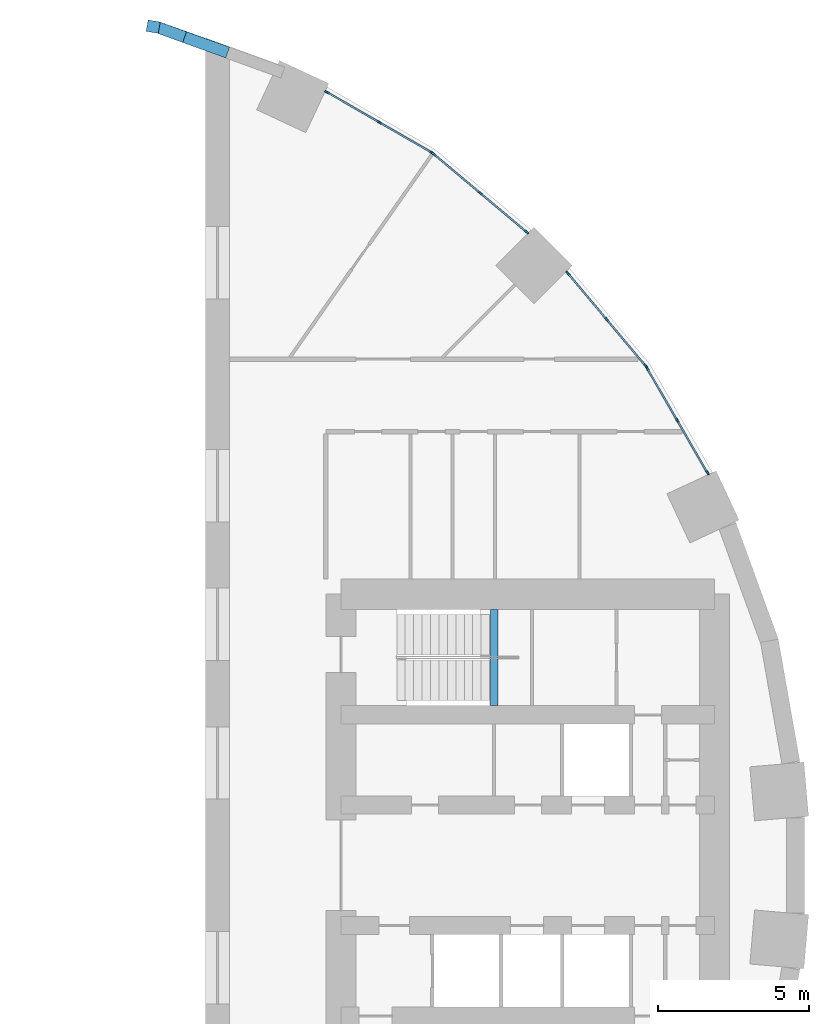
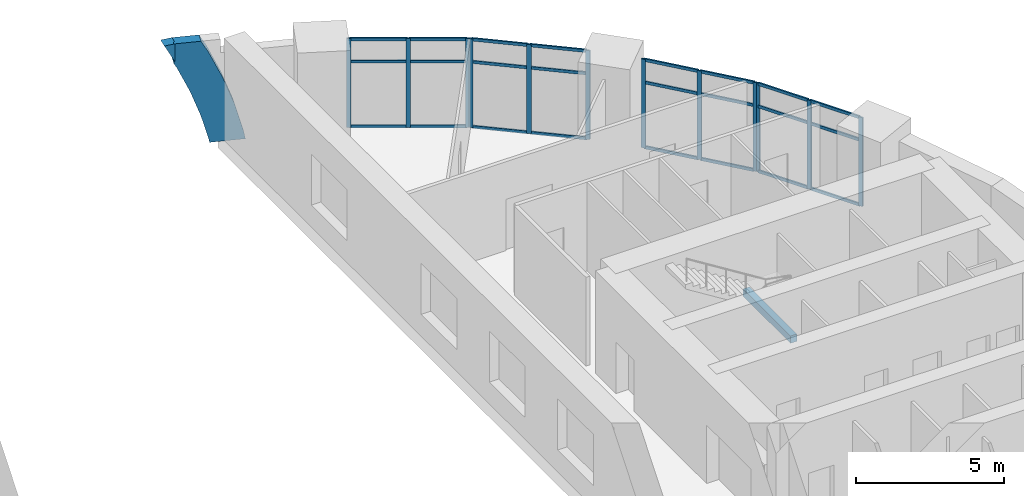
# One storey, part 5 of 13: 38 members, 1 beam, 4 elements without a shape of their own.
"""IFC4 building model written with IfcOpenShell, lengths in metres."""

from ifc_helpers import new_model, si_unit, direction, frame, origin, origin_2d, place, context, subcontext, project, spatial, polyline, rectangle, hollow_rectangle, outline, extrude, material, layer, layer_set, material_profile, profile_set, type_object, element, aggregate, save


model = new_model("IFC4")

# Units and contexts
model_context = context("Model", 3, precision=1e-05, world=origin(), true_north=direction((0.0, 1.0)))
body_context = subcontext(model_context, "Body", "Model", "MODEL_VIEW")
ifc_project = project(units=[si_unit("LENGTHUNIT", "METRE"), si_unit("AREAUNIT", "SQUARE_METRE"), si_unit("VOLUMEUNIT", "CUBIC_METRE"), si_unit("PLANEANGLEUNIT", "RADIAN"), si_unit("MASSUNIT", "GRAM", prefix="KILO")], contexts=[model_context])

# Site, building, storey
site_placement = place(None, origin())
site = spatial("IfcSite", under=ifc_project, at=site_placement, CompositionType="ELEMENT")
building_placement = place(site_placement, origin())
building = spatial("IfcBuilding", under=site, at=building_placement, Name="Saqina Gate Tower", CompositionType="ELEMENT")
storey_placement = place(building_placement, frame((0.0, 0.0, 9.199951171875)))
storey = spatial("IfcBuildingStorey", under=building, at=storey_placement, Name="L02", CompositionType="ELEMENT", Elevation=9.199951171875)

# Curtain wall, members
ifc_material_1 = material(Name="Aluminium glazing", Category="aluminium")
ifc_layer = layer(ifc_material_1, 0.159912109375)
ifc_layer_set = layer_set([ifc_layer], Name="CWT-1")
curtain_wall_type = type_object("IfcCurtainWallType", Name="CWT-1", PredefinedType="NOTDEFINED", material=ifc_layer_set)
curtain_wall_1_placement = place(storey_placement, origin())
curtain_wall_1 = element("IfcCurtainWall", 1, at=curtain_wall_1_placement, inside=storey, type_object=curtain_wall_type, Name="Podium shopfront facet 3", PredefinedType="NOTDEFINED")
ifc_material_2 = material(Name="Aluminium", Category="aluminium")
ifc_material_profile_1 = material_profile(ifc_material_2, rectangle(XDim=0.06005859375, YDim=0.159912109375, at=origin_2d()), Name="Aluminium 60x160")
ifc_profile_set_1 = profile_set([ifc_material_profile_1], Name="Aluminium")
member_type_1 = type_object("IfcMemberType", Name="CWT-1M", PredefinedType="MULLION", material=ifc_profile_set_1)
member_1_placement = place(storey_placement, frame((25.66015625, 13.03466796875, 0.0), z_axis=(0.0, 0.0, 1.0), x_axis=(-0.866017381415, -0.500013894893, 0.0)))
member_1 = element("IfcMember", 2, at=member_1_placement, type_object=member_type_1, Name="CW1-03 mullion 1", PredefinedType="MULLION", context=body_context, shape_type="SweptSolid", body=[
    extrude(rectangle(XDim=0.06005859375, YDim=0.159912109375, at=origin_2d()), origin(), (0.0, 0.0, 1.0), 3.650146484375),
])
member_2_placement = place(storey_placement, frame((24.65771484375, 14.770751953125, 0.0), z_axis=(0.0, 0.0, 1.0), x_axis=(-0.866017381415, -0.500013894893, 0.0)))
member_2 = element("IfcMember", 3, at=member_2_placement, type_object=member_type_1, Name="CW1-03 mullion 2", PredefinedType="MULLION", context=body_context, shape_type="SweptSolid", body=[
    extrude(rectangle(XDim=0.06005859375, YDim=0.159912109375, at=origin_2d()), origin(), (0.0, 0.0, 1.0), 3.650146484375),
])
member_3_placement = place(storey_placement, frame((23.655517578125, 16.5068359375, 0.0), z_axis=(0.0, 0.0, 1.0), x_axis=(-0.866017381415, -0.500013894893, 0.0)))
member_3 = element("IfcMember", 4, at=member_3_placement, type_object=member_type_1, Name="CW1-03 mullion 3", PredefinedType="MULLION", context=body_context, shape_type="SweptSolid", body=[
    extrude(rectangle(XDim=0.06005859375, YDim=0.159912109375, at=origin_2d()), origin(), (0.0, 0.0, 1.0), 3.650146484375),
])

curtain_wall_2_placement = place(storey_placement, origin())
curtain_wall_2 = element("IfcCurtainWall", 5, at=curtain_wall_2_placement, inside=storey, type_object=curtain_wall_type, Name="Podium shopfront facet 4", PredefinedType="NOTDEFINED")
member_4_placement = place(storey_placement, frame((23.601806640625, 16.583251953125, 0.0), z_axis=(0.0, 0.0, 1.0), x_axis=(-0.766051396473, -0.642779322911, 0.0)))
member_4 = element("IfcMember", 6, at=member_4_placement, type_object=member_type_1, Name="CW1-04 mullion 1", PredefinedType="MULLION", context=body_context, shape_type="SweptSolid", body=[
    extrude(rectangle(XDim=0.06005859375, YDim=0.159912109375, at=origin_2d()), origin(), (0.0, 0.0, 1.0), 3.650146484375),
])
member_5_placement = place(storey_placement, frame((22.3134765625, 18.118896484375, 0.0), z_axis=(0.0, 0.0, 1.0), x_axis=(-0.766051396473, -0.642779322911, 0.0)))
member_5 = element("IfcMember", 7, at=member_5_placement, type_object=member_type_1, Name="CW1-04 mullion 2", PredefinedType="MULLION", context=body_context, shape_type="SweptSolid", body=[
    extrude(rectangle(XDim=0.06005859375, YDim=0.159912109375, at=origin_2d()), origin(), (0.0, 0.0, 1.0), 3.650146484375),
])
member_6_placement = place(storey_placement, frame((21.02490234375, 19.654296875, 0.0), z_axis=(0.0, 0.0, 1.0), x_axis=(-0.766051396473, -0.642779322911, 0.0)))
member_6 = element("IfcMember", 8, at=member_6_placement, type_object=member_type_1, Name="CW1-04 mullion 3", PredefinedType="MULLION", context=body_context, shape_type="SweptSolid", body=[
    extrude(rectangle(XDim=0.06005859375, YDim=0.159912109375, at=origin_2d()), origin(), (0.0, 0.0, 1.0), 3.650146484375),
])

curtain_wall_3_placement = place(storey_placement, origin())
curtain_wall_3 = element("IfcCurtainWall", 9, at=curtain_wall_3_placement, inside=storey, type_object=curtain_wall_type, Name="Podium shopfront facet 5", PredefinedType="NOTDEFINED")
member_7_placement = place(storey_placement, frame((19.654296875, 21.02490234375, 0.0), z_axis=(0.0, 0.0, 1.0), x_axis=(-0.642779322911, -0.766051396473, 0.0)))
member_7 = element("IfcMember", 10, at=member_7_placement, type_object=member_type_1, Name="CW1-05 mullion 1", PredefinedType="MULLION", context=body_context, shape_type="SweptSolid", body=[
    extrude(rectangle(XDim=0.06005859375, YDim=0.159912109375, at=origin_2d()), origin(), (0.0, 0.0, 1.0), 3.650146484375),
])
member_8_placement = place(storey_placement, frame((18.118896484375, 22.3134765625, 0.0), z_axis=(0.0, 0.0, 1.0), x_axis=(-0.642779322911, -0.766051396473, 0.0)))
member_8 = element("IfcMember", 11, at=member_8_placement, type_object=member_type_1, Name="CW1-05 mullion 2", PredefinedType="MULLION", context=body_context, shape_type="SweptSolid", body=[
    extrude(rectangle(XDim=0.06005859375, YDim=0.159912109375, at=origin_2d()), origin(), (0.0, 0.0, 1.0), 3.650146484375),
])
member_9_placement = place(storey_placement, frame((16.583251953125, 23.601806640625, 0.0), z_axis=(0.0, 0.0, 1.0), x_axis=(-0.642779322911, -0.766051396473, 0.0)))
member_9 = element("IfcMember", 12, at=member_9_placement, type_object=member_type_1, Name="CW1-05 mullion 3", PredefinedType="MULLION", context=body_context, shape_type="SweptSolid", body=[
    extrude(rectangle(XDim=0.06005859375, YDim=0.159912109375, at=origin_2d()), origin(), (0.0, 0.0, 1.0), 3.650146484375),
])

curtain_wall_4_placement = place(storey_placement, origin())
curtain_wall_4 = element("IfcCurtainWall", 13, at=curtain_wall_4_placement, inside=storey, type_object=curtain_wall_type, Name="Podium shopfront facet 6", PredefinedType="NOTDEFINED")
member_10_placement = place(storey_placement, frame((16.5068359375, 23.655517578125, 0.0), z_axis=(0.0, 0.0, 1.0), x_axis=(-0.500013894893, -0.866017381415, 0.0)))
member_10 = element("IfcMember", 14, at=member_10_placement, type_object=member_type_1, Name="CW1-06 mullion 1", PredefinedType="MULLION", context=body_context, shape_type="SweptSolid", body=[
    extrude(rectangle(XDim=0.06005859375, YDim=0.159912109375, at=origin_2d()), origin(), (0.0, 0.0, 1.0), 3.650146484375),
])
member_11_placement = place(storey_placement, frame((14.770751953125, 24.65771484375, 0.0), z_axis=(0.0, 0.0, 1.0), x_axis=(-0.500013894893, -0.866017381415, 0.0)))
member_11 = element("IfcMember", 15, at=member_11_placement, type_object=member_type_1, Name="CW1-06 mullion 2", PredefinedType="MULLION", context=body_context, shape_type="SweptSolid", body=[
    extrude(rectangle(XDim=0.06005859375, YDim=0.159912109375, at=origin_2d()), origin(), (0.0, 0.0, 1.0), 3.650146484375),
])
member_12_placement = place(storey_placement, frame((13.03466796875, 25.66015625, 0.0), z_axis=(0.0, 0.0, 1.0), x_axis=(-0.500013894893, -0.866017381415, 0.0)))
member_12 = element("IfcMember", 16, at=member_12_placement, type_object=member_type_1, Name="CW1-06 mullion 3", PredefinedType="MULLION", context=body_context, shape_type="SweptSolid", body=[
    extrude(rectangle(XDim=0.06005859375, YDim=0.159912109375, at=origin_2d()), origin(), (0.0, 0.0, 1.0), 3.650146484375),
])

# Member
ifc_material_3 = material(Name="Aluminium", Category="aluminium")
ifc_material_profile_2 = material_profile(ifc_material_3, rectangle(XDim=0.06005859375, YDim=0.1201171875, at=origin_2d()), Name="Aluminium 60x120")
ifc_profile_set_2 = profile_set([ifc_material_profile_2], Name="Aluminium")
member_type_2 = type_object("IfcMemberType", Name="CWT-1T", PredefinedType="USERDEFINED", material=ifc_profile_set_2)
member_13_placement = place(storey_placement, frame((25.64501953125, 13.060791015625, 0.030029296875), z_axis=(-0.499947064232, 0.866055964107, 0.0), x_axis=(-0.866055964107, -0.499947064232, 0.0)))
member_13 = element("IfcMember", 17, at=member_13_placement, type_object=member_type_2, Name="CW1-03 transom 1.1", ObjectType="TRANSOM", PredefinedType="USERDEFINED", context=body_context, shape_type="SweptSolid", body=[
    extrude(rectangle(XDim=0.06005859375, YDim=0.1201171875, at=origin_2d()), origin(), (0.0, 0.0, 1.0), 1.944580078125),
])

member_14_placement = place(storey_placement, frame((25.64501953125, 13.060791015625, 2.699951171875), z_axis=(-0.499947064232, 0.866055964107, 0.0), x_axis=(-0.866055964107, -0.499947064232, 0.0)))
member_14 = element("IfcMember", 18, at=member_14_placement, type_object=member_type_2, Name="CW1-03 transom 1.2", ObjectType="TRANSOM", PredefinedType="USERDEFINED", context=body_context, shape_type="SweptSolid", body=[
    extrude(rectangle(XDim=0.06005859375, YDim=0.1201171875, at=origin_2d()), origin(), (0.0, 0.0, 1.0), 1.944580078125),
])

member_15_placement = place(storey_placement, frame((25.64501953125, 13.060791015625, 3.6201171875), z_axis=(-0.499947064232, 0.866055964107, 0.0), x_axis=(-0.866055964107, -0.499947064232, 0.0)))
member_15 = element("IfcMember", 19, at=member_15_placement, type_object=member_type_2, Name="CW1-03 transom 1.3", ObjectType="TRANSOM", PredefinedType="USERDEFINED", context=body_context, shape_type="SweptSolid", body=[
    extrude(rectangle(XDim=0.06005859375, YDim=0.1201171875, at=origin_2d()), origin(), (0.0, 0.0, 1.0), 1.944580078125),
])

member_16_placement = place(storey_placement, frame((24.642822265625, 14.796630859375, 0.030029296875), z_axis=(-0.500041225824, 0.866001600736, 0.0), x_axis=(-0.866001600736, -0.500041225824, 0.0)))
member_16 = element("IfcMember", 20, at=member_16_placement, type_object=member_type_2, Name="CW1-03 transom 2.1", ObjectType="TRANSOM", PredefinedType="USERDEFINED", context=body_context, shape_type="SweptSolid", body=[
    extrude(rectangle(XDim=0.06005859375, YDim=0.1201171875, at=origin_2d()), origin(), (0.0, 0.0, 1.0), 1.944580078125),
])

member_17_placement = place(storey_placement, frame((24.642822265625, 14.796630859375, 2.699951171875), z_axis=(-0.500041225824, 0.866001600736, 0.0), x_axis=(-0.866001600736, -0.500041225824, 0.0)))
member_17 = element("IfcMember", 21, at=member_17_placement, type_object=member_type_2, Name="CW1-03 transom 2.2", ObjectType="TRANSOM", PredefinedType="USERDEFINED", context=body_context, shape_type="SweptSolid", body=[
    extrude(rectangle(XDim=0.06005859375, YDim=0.1201171875, at=origin_2d()), origin(), (0.0, 0.0, 1.0), 1.944580078125),
])

member_18_placement = place(storey_placement, frame((24.642822265625, 14.796630859375, 3.6201171875), z_axis=(-0.500041225824, 0.866001600736, 0.0), x_axis=(-0.866001600736, -0.500041225824, 0.0)))
member_18 = element("IfcMember", 22, at=member_18_placement, type_object=member_type_2, Name="CW1-03 transom 2.3", ObjectType="TRANSOM", PredefinedType="USERDEFINED", context=body_context, shape_type="SweptSolid", body=[
    extrude(rectangle(XDim=0.06005859375, YDim=0.1201171875, at=origin_2d()), origin(), (0.0, 0.0, 1.0), 1.944580078125),
])

aggregate(curtain_wall_1, [member_1, member_2, member_3, member_13, member_14, member_15, member_16, member_17, member_18])

member_19_placement = place(storey_placement, frame((23.58251953125, 16.606201171875, 0.030029296875), z_axis=(-0.642700228444, 0.766117756196, 0.0), x_axis=(-0.766117756196, -0.642700228444, 0.0)))
member_19 = element("IfcMember", 23, at=member_19_placement, type_object=member_type_2, Name="CW1-04 transom 1.1", ObjectType="TRANSOM", PredefinedType="USERDEFINED", context=body_context, shape_type="SweptSolid", body=[
    extrude(rectangle(XDim=0.06005859375, YDim=0.1201171875, at=origin_2d()), origin(), (0.0, 0.0, 1.0), 1.944580078125),
])

member_20_placement = place(storey_placement, frame((23.58251953125, 16.606201171875, 2.699951171875), z_axis=(-0.642700228444, 0.766117756196, 0.0), x_axis=(-0.766117756196, -0.642700228444, 0.0)))
member_20 = element("IfcMember", 24, at=member_20_placement, type_object=member_type_2, Name="CW1-04 transom 1.2", ObjectType="TRANSOM", PredefinedType="USERDEFINED", context=body_context, shape_type="SweptSolid", body=[
    extrude(rectangle(XDim=0.06005859375, YDim=0.1201171875, at=origin_2d()), origin(), (0.0, 0.0, 1.0), 1.944580078125),
])

member_21_placement = place(storey_placement, frame((23.58251953125, 16.606201171875, 3.6201171875), z_axis=(-0.642700228444, 0.766117756196, 0.0), x_axis=(-0.766117756196, -0.642700228444, 0.0)))
member_21 = element("IfcMember", 25, at=member_21_placement, type_object=member_type_2, Name="CW1-04 transom 1.3", ObjectType="TRANSOM", PredefinedType="USERDEFINED", context=body_context, shape_type="SweptSolid", body=[
    extrude(rectangle(XDim=0.06005859375, YDim=0.1201171875, at=origin_2d()), origin(), (0.0, 0.0, 1.0), 1.944580078125),
])

member_22_placement = place(storey_placement, frame((22.294189453125, 18.141845703125, 0.030029296875), z_axis=(-0.642835731235, 0.76600406177, 0.0), x_axis=(-0.76600406177, -0.642835731235, 0.0)))
member_22 = element("IfcMember", 26, at=member_22_placement, type_object=member_type_2, Name="CW1-04 transom 2.1", ObjectType="TRANSOM", PredefinedType="USERDEFINED", context=body_context, shape_type="SweptSolid", body=[
    extrude(rectangle(XDim=0.06005859375, YDim=0.1201171875, at=origin_2d()), origin(), (0.0, 0.0, 1.0), 1.944580078125),
])

member_23_placement = place(storey_placement, frame((22.294189453125, 18.141845703125, 2.699951171875), z_axis=(-0.642835731235, 0.76600406177, 0.0), x_axis=(-0.76600406177, -0.642835731235, 0.0)))
member_23 = element("IfcMember", 27, at=member_23_placement, type_object=member_type_2, Name="CW1-04 transom 2.2", ObjectType="TRANSOM", PredefinedType="USERDEFINED", context=body_context, shape_type="SweptSolid", body=[
    extrude(rectangle(XDim=0.06005859375, YDim=0.1201171875, at=origin_2d()), origin(), (0.0, 0.0, 1.0), 1.944580078125),
])

member_24_placement = place(storey_placement, frame((22.294189453125, 18.141845703125, 3.6201171875), z_axis=(-0.642835731235, 0.76600406177, 0.0), x_axis=(-0.76600406177, -0.642835731235, 0.0)))
member_24 = element("IfcMember", 28, at=member_24_placement, type_object=member_type_2, Name="CW1-04 transom 2.3", ObjectType="TRANSOM", PredefinedType="USERDEFINED", context=body_context, shape_type="SweptSolid", body=[
    extrude(rectangle(XDim=0.06005859375, YDim=0.1201171875, at=origin_2d()), origin(), (0.0, 0.0, 1.0), 1.944580078125),
])

aggregate(curtain_wall_2, [member_4, member_5, member_6, member_19, member_20, member_21, member_22, member_23, member_24])

member_25_placement = place(storey_placement, frame((19.63134765625, 21.044189453125, 0.030029296875), z_axis=(-0.76600406177, 0.642835731235, 0.0), x_axis=(-0.642835731235, -0.76600406177, 0.0)))
member_25 = element("IfcMember", 29, at=member_25_placement, type_object=member_type_2, Name="CW1-05 transom 1.1", ObjectType="TRANSOM", PredefinedType="USERDEFINED", context=body_context, shape_type="SweptSolid", body=[
    extrude(rectangle(XDim=0.06005859375, YDim=0.1201171875, at=origin_2d()), origin(), (0.0, 0.0, 1.0), 1.944580078125),
])

member_26_placement = place(storey_placement, frame((19.63134765625, 21.044189453125, 2.699951171875), z_axis=(-0.76600406177, 0.642835731235, 0.0), x_axis=(-0.642835731235, -0.76600406177, 0.0)))
member_26 = element("IfcMember", 30, at=member_26_placement, type_object=member_type_2, Name="CW1-05 transom 1.2", ObjectType="TRANSOM", PredefinedType="USERDEFINED", context=body_context, shape_type="SweptSolid", body=[
    extrude(rectangle(XDim=0.06005859375, YDim=0.1201171875, at=origin_2d()), origin(), (0.0, 0.0, 1.0), 1.944580078125),
])

member_27_placement = place(storey_placement, frame((19.63134765625, 21.044189453125, 3.6201171875), z_axis=(-0.76600406177, 0.642835731235, 0.0), x_axis=(-0.642835731235, -0.76600406177, 0.0)))
member_27 = element("IfcMember", 31, at=member_27_placement, type_object=member_type_2, Name="CW1-05 transom 1.3", ObjectType="TRANSOM", PredefinedType="USERDEFINED", context=body_context, shape_type="SweptSolid", body=[
    extrude(rectangle(XDim=0.06005859375, YDim=0.1201171875, at=origin_2d()), origin(), (0.0, 0.0, 1.0), 1.944580078125),
])

member_28_placement = place(storey_placement, frame((18.095947265625, 22.332763671875, 0.030029296875), z_axis=(-0.766117756196, 0.642700228444, 0.0), x_axis=(-0.642700228444, -0.766117756196, 0.0)))
member_28 = element("IfcMember", 32, at=member_28_placement, type_object=member_type_2, Name="CW1-05 transom 2.1", ObjectType="TRANSOM", PredefinedType="USERDEFINED", context=body_context, shape_type="SweptSolid", body=[
    extrude(rectangle(XDim=0.06005859375, YDim=0.1201171875, at=origin_2d()), origin(), (0.0, 0.0, 1.0), 1.944580078125),
])

member_29_placement = place(storey_placement, frame((18.095947265625, 22.332763671875, 2.699951171875), z_axis=(-0.766117756196, 0.642700228444, 0.0), x_axis=(-0.642700228444, -0.766117756196, 0.0)))
member_29 = element("IfcMember", 33, at=member_29_placement, type_object=member_type_2, Name="CW1-05 transom 2.2", ObjectType="TRANSOM", PredefinedType="USERDEFINED", context=body_context, shape_type="SweptSolid", body=[
    extrude(rectangle(XDim=0.06005859375, YDim=0.1201171875, at=origin_2d()), origin(), (0.0, 0.0, 1.0), 1.944580078125),
])

member_30_placement = place(storey_placement, frame((18.095947265625, 22.332763671875, 3.6201171875), z_axis=(-0.766117756196, 0.642700228444, 0.0), x_axis=(-0.642700228444, -0.766117756196, 0.0)))
member_30 = element("IfcMember", 34, at=member_30_placement, type_object=member_type_2, Name="CW1-05 transom 2.3", ObjectType="TRANSOM", PredefinedType="USERDEFINED", context=body_context, shape_type="SweptSolid", body=[
    extrude(rectangle(XDim=0.06005859375, YDim=0.1201171875, at=origin_2d()), origin(), (0.0, 0.0, 1.0), 1.944580078125),
])

aggregate(curtain_wall_3, [member_7, member_8, member_9, member_25, member_26, member_27, member_28, member_29, member_30])

member_31_placement = place(storey_placement, frame((16.480712890625, 23.67041015625, 0.030029296875), z_axis=(-0.866001600736, 0.500041225824, 0.0), x_axis=(-0.500041225824, -0.866001600736, 0.0)))
member_31 = element("IfcMember", 35, at=member_31_placement, type_object=member_type_2, Name="CW1-06 transom 1.1", ObjectType="TRANSOM", PredefinedType="USERDEFINED", context=body_context, shape_type="SweptSolid", body=[
    extrude(rectangle(XDim=0.06005859375, YDim=0.1201171875, at=origin_2d()), origin(), (0.0, 0.0, 1.0), 1.944580078125),
])

member_32_placement = place(storey_placement, frame((16.480712890625, 23.67041015625, 2.699951171875), z_axis=(-0.866001600736, 0.500041225824, 0.0), x_axis=(-0.500041225824, -0.866001600736, 0.0)))
member_32 = element("IfcMember", 36, at=member_32_placement, type_object=member_type_2, Name="CW1-06 transom 1.2", ObjectType="TRANSOM", PredefinedType="USERDEFINED", context=body_context, shape_type="SweptSolid", body=[
    extrude(rectangle(XDim=0.06005859375, YDim=0.1201171875, at=origin_2d()), origin(), (0.0, 0.0, 1.0), 1.944580078125),
])

member_33_placement = place(storey_placement, frame((16.480712890625, 23.67041015625, 3.6201171875), z_axis=(-0.866001600736, 0.500041225824, 0.0), x_axis=(-0.500041225824, -0.866001600736, 0.0)))
member_33 = element("IfcMember", 37, at=member_33_placement, type_object=member_type_2, Name="CW1-06 transom 1.3", ObjectType="TRANSOM", PredefinedType="USERDEFINED", context=body_context, shape_type="SweptSolid", body=[
    extrude(rectangle(XDim=0.06005859375, YDim=0.1201171875, at=origin_2d()), origin(), (0.0, 0.0, 1.0), 1.944580078125),
])

member_34_placement = place(storey_placement, frame((14.744873046875, 24.6728515625, 0.030029296875), z_axis=(-0.866055964107, 0.499947064232, 0.0), x_axis=(-0.499947064232, -0.866055964107, 0.0)))
member_34 = element("IfcMember", 38, at=member_34_placement, type_object=member_type_2, Name="CW1-06 transom 2.1", ObjectType="TRANSOM", PredefinedType="USERDEFINED", context=body_context, shape_type="SweptSolid", body=[
    extrude(rectangle(XDim=0.06005859375, YDim=0.1201171875, at=origin_2d()), origin(), (0.0, 0.0, 1.0), 1.944580078125),
])

member_35_placement = place(storey_placement, frame((14.744873046875, 24.6728515625, 2.699951171875), z_axis=(-0.866055964107, 0.499947064232, 0.0), x_axis=(-0.499947064232, -0.866055964107, 0.0)))
member_35 = element("IfcMember", 39, at=member_35_placement, type_object=member_type_2, Name="CW1-06 transom 2.2", ObjectType="TRANSOM", PredefinedType="USERDEFINED", context=body_context, shape_type="SweptSolid", body=[
    extrude(rectangle(XDim=0.06005859375, YDim=0.1201171875, at=origin_2d()), origin(), (0.0, 0.0, 1.0), 1.944580078125),
])

member_36_placement = place(storey_placement, frame((14.744873046875, 24.6728515625, 3.6201171875), z_axis=(-0.866055964107, 0.499947064232, 0.0), x_axis=(-0.499947064232, -0.866055964107, 0.0)))
member_36 = element("IfcMember", 40, at=member_36_placement, type_object=member_type_2, Name="CW1-06 transom 2.3", ObjectType="TRANSOM", PredefinedType="USERDEFINED", context=body_context, shape_type="SweptSolid", body=[
    extrude(rectangle(XDim=0.06005859375, YDim=0.1201171875, at=origin_2d()), origin(), (0.0, 0.0, 1.0), 1.944580078125),
])

aggregate(curtain_wall_4, [member_10, member_11, member_12, member_31, member_32, member_33, member_34, member_35, member_36])

# Beam
ifc_material_4 = material(Name="Concrete C40/50", Category="concrete")
ifc_material_profile_3 = material_profile(ifc_material_4, rectangle(XDim=0.25, YDim=0.300048828125, at=origin_2d()), Name="STAIR LANDING BEAM")
ifc_profile_set_3 = profile_set([ifc_material_profile_3], Name="Concrete C40/50")
beam_type = type_object("IfcBeamType", Name="STAIR LANDING BEAM", PredefinedType="BEAM", material=ifc_profile_set_3)
beam_placement = place(storey_placement, frame((18.580078125, 5.300048828125, 1.699951171875), z_axis=(0.0, 1.0, 0.0), x_axis=(-1.0, 0.0, 0.0)))
element("IfcBeam", 41, at=beam_placement, inside=storey, type_object=beam_type, Name="EXIT STAIR 1 LANDING BEAM", PredefinedType="BEAM", context=body_context, shape_type="SweptSolid", body=[
    extrude(rectangle(XDim=0.25, YDim=0.300048828125, at=origin_2d()), origin(), (0.0, 0.0, 1.0), 3.199951171875),
])

# Members
ifc_material_5 = material(Name="Steel S355", Category="steel")
ifc_material_profile_4 = material_profile(ifc_material_5, hollow_rectangle(XDim=1.199951171875, YDim=0.3798828125, WallThickness=0.030029296875, at=origin_2d()), Name="BOX 1200x380x30")
ifc_profile_set_4 = profile_set([ifc_material_profile_4], Name="Steel S355")
member_type_3 = type_object("IfcMemberType", Name="STR-ARCH RIB-BOX 1200x380x30", PredefinedType="USERDEFINED", material=ifc_profile_set_4)
member_37_placement = place(storey_placement, frame((8.99365234375, 27.45068359375, 0.0), z_axis=(0.341992935206, 0.939700441613, 0.001977953873), x_axis=(0.93970227962, -0.341993604731, 2.86976e-07)))
element("IfcMember", 42, at=member_37_placement, inside=storey, type_object=member_type_3, Name="ARCH RIB N L02 facet 7", ObjectType="ARCH RIB", PredefinedType="USERDEFINED", context=body_context, shape_type="SweptSolid", body=[
    extrude(outline(polyline([(0.0, 0.0), (0.8613035492799312, 0.0), (0.7955165862585856, -0.34277389323152707), (0.48247550970167413, -1.4948757120333356), (0.08324780756221871, -2.622319776182503), (-0.4005605853282565, -3.719245565641661), (-0.6568674742171653, -4.199959663703063), (-1.5900696787529167, -4.19996005230541), (-1.590028470191788, -3.6501538410928434), (-1.5901955310705773, -3.3999092824691357), (-1.4806893913525017, -3.1943425290572476), (-1.0329450123699564, -2.1792039658932723), (-0.663753223893186, -1.1367212338449353), (-0.3743446164925865, -0.07202164832175881), (-0.36059900744670587, -1.698680917925461e-07), (0.0, 0.0)])), origin(), (0.0, 0.0, -1.0), 0.3798828125),
])
member_38_placement = place(storey_placement, frame((7.501220703125, 27.986572265625, 3.650146484375), z_axis=(0.17403185595, 0.98473719871, 0.002358514483), x_axis=(-2.9960038e-05, -0.002389768305, 0.999997144051)))
element("IfcMember", 43, at=member_38_placement, inside=storey, type_object=member_type_3, Name="ARCH RIB N L02 facet 8", ObjectType="ARCH RIB", PredefinedType="USERDEFINED", context=body_context, shape_type="SweptSolid", body=[
    extrude(outline(polyline([(0.0, 0.0), (0.5498060344834047, 0.0), (0.5496483224437653, -0.40904887289762704), (0.5264598706536766, -0.395194275369643), (-0.2502446001339753, 0.0002521313572819691), (0.0, 0.0)])), origin(), (0.0, 0.0, -1.0), 0.3798828125),
])

save(model, "model.ifc")
